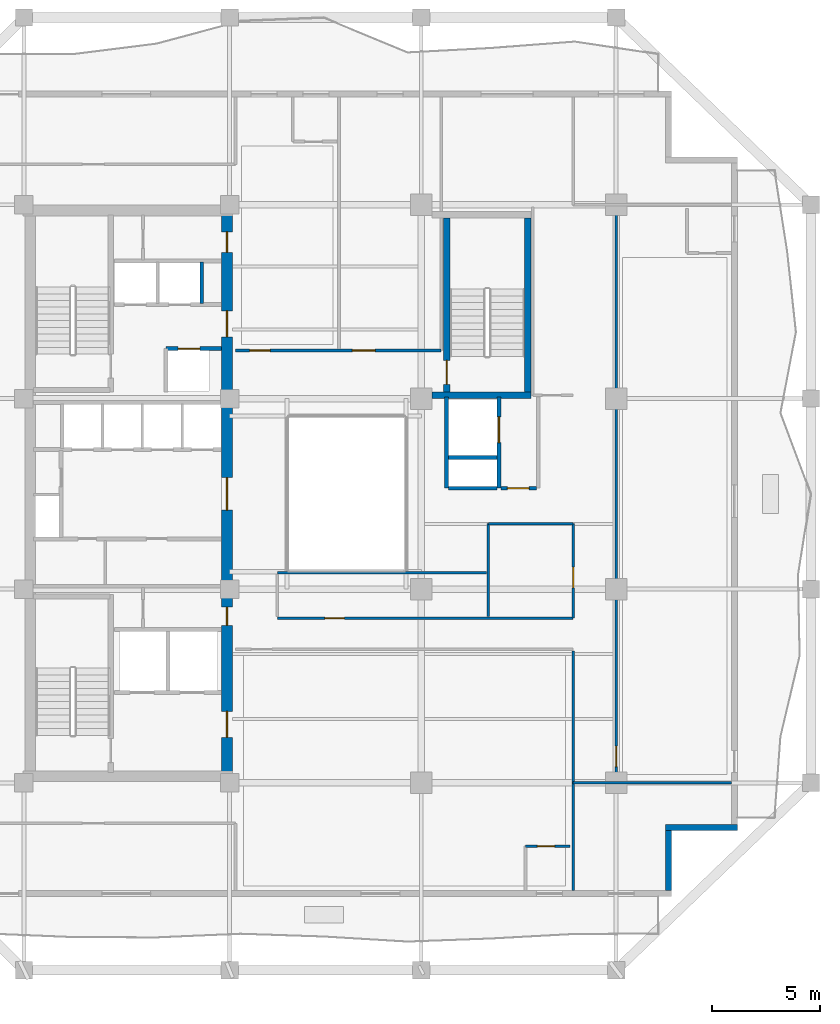
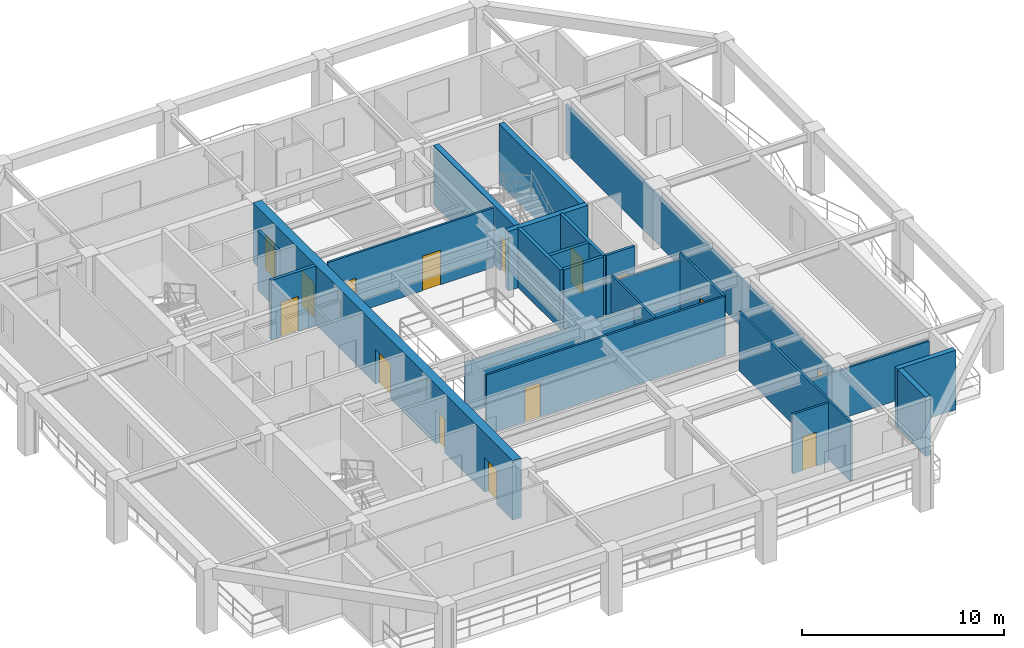
# One storey, part 4 of 10: 23 walls, 15 doors, 15 openings.
"""IFC4 building model written with IfcOpenShell, lengths in metres."""

import ifcopenshell
import ifcopenshell.guid

model = None  # the IFC model being written
_history = None  # IfcOwnerHistory: only IFC2X3 demands one
_inside = {}  # id of a spatial element -> (the spatial element, [elements in it])
_under = {}  # id of a project, library or spatial element -> (it, [spatial elements below it])
_declared = {}  # id of a project -> (the project, [libraries it declares])
_typed = {}  # id of a type object -> (the type object, [elements of that type])
_made_of = {}  # id of a material, layer set ... -> (it, [elements and type objects made of it])


def new_model(schema):
    """Start an empty IFC model of exactly this schema.

    Asked for "IFC4X3", IfcOpenShell would pick the latest addendum, in which some entities
    have other attributes; the version numbers below select the first issue.
    IFC2X3 requires an IfcOwnerHistory on every rooted entity: one is made here for all.
    """
    global model, _history
    if schema == "IFC4X3":
        model = ifcopenshell.file(schema_version=(4, 3, 0, 0))
    else:
        model = ifcopenshell.file(schema=schema)
    _inside.clear()
    _under.clear()
    _declared.clear()
    _typed.clear()
    _made_of.clear()
    _history = None
    if model.schema == "IFC2X3":
        org = make("IfcOrganization", Name="unknown")
        user = make(
            "IfcPersonAndOrganization",
            ThePerson=make("IfcPerson", FamilyName="unknown"),
            TheOrganization=org,
        )
        app = make(
            "IfcApplication",
            ApplicationDeveloper=org,
            Version="unknown",
            ApplicationFullName="unknown",
            ApplicationIdentifier="unknown",
        )
        _history = make(
            "IfcOwnerHistory",
            OwningUser=user,
            OwningApplication=app,
            ChangeAction="ADDED",
            CreationDate=0,
        )
    return model


def make(cls, **values):
    """One entity of the class cls with the attributes given. An attribute that is None is left unset."""
    return model.create_entity(
        cls, **{name: value for name, value in values.items() if value is not None}
    )


def rooted(cls, **values):
    """An entity with a GlobalId (a new one), such as an element, a storey or a relation."""
    return make(cls, GlobalId=ifcopenshell.guid.new(), OwnerHistory=_history, **values)


def si_unit(unit_type, name, prefix=None):
    """IfcSIUnit, for example si_unit("LENGTHUNIT", "METRE", prefix="MILLI")."""
    return make("IfcSIUnit", UnitType=unit_type, Prefix=prefix, Name=name)


def assignment(units):
    """IfcUnitAssignment: the units of a project."""
    return None if units is None else make("IfcUnitAssignment", Units=units)


def point(xyz):
    """IfcCartesianPoint."""
    return None if xyz is None else make("IfcCartesianPoint", Coordinates=xyz)


def direction(xyz):
    """IfcDirection."""
    return None if xyz is None else make("IfcDirection", DirectionRatios=xyz)


def frame(location, z_axis=None, x_axis=None):
    """IfcAxis2Placement3D, a coordinate frame: its origin and axes. An axis left out is left unset."""
    return make(
        "IfcAxis2Placement3D",
        Location=point(location),
        Axis=direction(z_axis),
        RefDirection=direction(x_axis),
    )


def frame_2d(location, x_axis=None):
    """IfcAxis2Placement2D, a coordinate frame in the plane: its origin and x axis."""
    return make(
        "IfcAxis2Placement2D", Location=point(location), RefDirection=direction(x_axis)
    )


def origin():
    """The frame at (0, 0, 0) with its axes left unset."""
    return frame((0.0, 0.0, 0.0))


def place(relative_to, where):
    """IfcLocalPlacement: puts the frame where relative to a parent placement (None: the world)."""
    return make(
        "IfcLocalPlacement", PlacementRelTo=relative_to, RelativePlacement=where
    )


def context(
    kind, dimensions, precision=None, world=None, true_north=None, identifier=None
):
    """IfcGeometricRepresentationContext, for example the 3D "Model" context."""
    return make(
        "IfcGeometricRepresentationContext",
        ContextIdentifier=identifier,
        ContextType=kind,
        CoordinateSpaceDimension=dimensions,
        Precision=precision,
        WorldCoordinateSystem=world,
        TrueNorth=true_north,
    )


def subcontext(parent, identifier, kind, view, scale=None):
    """IfcGeometricRepresentationSubContext, for example "Body" below "Model"."""
    return make(
        "IfcGeometricRepresentationSubContext",
        ContextIdentifier=identifier,
        ContextType=kind,
        ParentContext=parent,
        TargetScale=scale,
        TargetView=view,
    )


def project(units=None, contexts=None):
    """IfcProject with its units and contexts."""
    return rooted(
        "IfcProject",
        Name="project",
        RepresentationContexts=contexts,
        UnitsInContext=assignment(units),
    )


def spatial(cls, under=None, at=None, **own):
    """A site, building, storey or space (cls), placed at a placement, below another one or the project."""
    s = rooted(cls, ObjectPlacement=at, **own)
    if under is not None:
        _under.setdefault(under.id(), (under, []))[1].append(s)
    return s


def profile(cls, at=None, kind="AREA", **sizes):
    """A parametric profile (cls). Its sizes go by their IFC names, for example OverallWidth=200.0."""
    return make(cls, ProfileType=kind, Position=at, **sizes)


def rectangle(**sizes):
    """IfcRectangleProfileDef."""
    return profile("IfcRectangleProfileDef", **sizes)


def extrude(swept, where, along, depth):
    """IfcExtrudedAreaSolid: the profile swept, set in the frame where, extruded along a direction by depth."""
    return make(
        "IfcExtrudedAreaSolid",
        SweptArea=swept,
        Position=where,
        ExtrudedDirection=direction(along),
        Depth=depth,
    )


def shape(context_of_items, identifier, shape_type, items):
    """IfcShapeRepresentation: the items that make up one representation, for example the "Body"."""
    return make(
        "IfcShapeRepresentation",
        ContextOfItems=context_of_items,
        RepresentationIdentifier=identifier,
        RepresentationType=shape_type,
        Items=items,
    )


def material(Name=None, Category=None):
    """IfcMaterial."""
    return make("IfcMaterial", Name=Name, Category=Category)


def layer(
    of_material, thickness, ventilated=None, Name=None, Category=None, Priority=None
):
    """IfcMaterialLayer: one layer of a wall or slab, of a material (None: an air gap)."""
    return make(
        "IfcMaterialLayer",
        Material=of_material,
        LayerThickness=thickness,
        IsVentilated=ventilated,
        Name=Name,
        Category=Category,
        Priority=Priority,
    )


def layer_set(layers, Name=None):
    """IfcMaterialLayerSet."""
    return make("IfcMaterialLayerSet", MaterialLayers=layers, LayerSetName=Name)


def made_of(thing, what):
    """Note that an element or type object is made of a material, layer set ...; save() writes the relation."""
    if what is not None:
        _made_of.setdefault(what.id(), (what, []))[1].append(thing)
    return thing


def type_object(cls, material=None, **own):
    """A type object (cls), such as IfcWallType, which elements share."""
    return made_of(rooted(cls, **own), material)


def element(
    cls,
    number,
    at=None,
    inside=None,
    cuts=None,
    type_object=None,
    material=None,
    context=None,
    identifier="Body",
    shape_type=None,
    held_by="IfcProductDefinitionShape",
    body=None,
    shapes=None,
    **own,
):
    """One element of the class cls, such as IfcWall. Its Tag is "e" and its number.

    at: its placement. inside: the storey or other place that contains it. cuts: it is an
    opening in that element (IfcRelVoidsElement). A single representation is given by context,
    identifier, shape_type and body (its items); several are given by shapes. held_by: the class
    of the entity that holds the representations. save() writes the other relations.
    """
    e = rooted(cls, Tag="e%d" % number, ObjectPlacement=at, **own)
    if body is not None:
        shapes = [shape(context, identifier, shape_type, body)]
    if shapes is not None:
        e.Representation = make(held_by, Representations=shapes)
    if inside is not None:
        _inside.setdefault(inside.id(), (inside, []))[1].append(e)
    if cuts is not None:
        rooted(
            "IfcRelVoidsElement", RelatingBuildingElement=cuts, RelatedOpeningElement=e
        )
    if type_object is not None:
        _typed.setdefault(type_object.id(), (type_object, []))[1].append(e)
    return made_of(e, material)


def fill(opening, filler):
    """IfcRelFillsElement: the door or window that sits in an opening."""
    return rooted(
        "IfcRelFillsElement",
        RelatingOpeningElement=opening,
        RelatedBuildingElement=filler,
    )


def aggregate(whole, parts):
    """IfcRelAggregates: a whole, such as a stair, and the parts it consists of."""
    return rooted("IfcRelAggregates", RelatingObject=whole, RelatedObjects=parts)


def save(model, path):
    """Write the relations noted so far, then the file.

    IfcRelAggregates (storeys below a building ...), IfcRelContainedInSpatialStructure (elements
    in a storey), IfcRelDefinesByType, IfcRelAssociatesMaterial and IfcRelDeclares: one each for
    every whole, place, type object, material and project.
    """
    for whole, parts in _under.values():
        aggregate(whole, parts)
    for where, things in _inside.values():
        rooted(
            "IfcRelContainedInSpatialStructure",
            RelatedElements=things,
            RelatingStructure=where,
        )
    for kind, things in _typed.values():
        rooted("IfcRelDefinesByType", RelatedObjects=things, RelatingType=kind)
    for what, things in _made_of.values():
        rooted("IfcRelAssociatesMaterial", RelatedObjects=things, RelatingMaterial=what)
    for by, libraries in _declared.values():
        rooted("IfcRelDeclares", RelatingContext=by, RelatedDefinitions=libraries)
    model.write(path)


model = new_model("IFC4")

# Units and contexts
model_context = context("Model", 3, precision=1e-05, world=origin(), true_north=direction((0.0, 1.0)))
body_context = subcontext(model_context, "Body", "Model", "MODEL_VIEW")
ifc_project = project(units=[si_unit("LENGTHUNIT", "METRE"), si_unit("AREAUNIT", "SQUARE_METRE"), si_unit("VOLUMEUNIT", "CUBIC_METRE"), si_unit("PLANEANGLEUNIT", "RADIAN"), si_unit("MASSUNIT", "GRAM", prefix="KILO")], contexts=[model_context])

# Site, building, storey
site_placement = place(None, origin())
site = spatial("IfcSite", under=ifc_project, at=site_placement, CompositionType="ELEMENT")
building_placement = place(site_placement, origin())
building = spatial("IfcBuilding", under=site, at=building_placement, Name="Kundavana Baori Tower", CompositionType="ELEMENT")
storey_placement = place(building_placement, frame((0.0, 0.0, 111.699951171875)))
storey = spatial("IfcBuildingStorey", under=building, at=storey_placement, Name="L26", CompositionType="ELEMENT", Elevation=111.699951171875)

# Wall, openings, doors
ifc_material_1 = material(Name="Concrete C50/60", Category="concrete")
ifc_layer_1 = layer(ifc_material_1, 0.5, Name="WL-CORE-500")
ifc_layer_set_1 = layer_set([ifc_layer_1], Name="Concrete C50/60")
wall_type_1 = type_object("IfcWallType", Name="WL-CORE-500", PredefinedType="SHEAR", material=ifc_layer_set_1)
wall_1_placement = place(storey_placement, frame((24.830078125, 15.739990234375, 0.0), z_axis=(0.0, 0.0, 1.0), x_axis=(0.0, 1.0, 0.0)))
wall_1 = element("IfcWall", 1, at=wall_1_placement, inside=storey, type_object=wall_type_1, Name="L26 Offset Core East Shear Wall", PredefinedType="SHEAR", context=body_context, shape_type="SweptSolid", body=[
    extrude(rectangle(XDim=25.760009765625, YDim=0.5, at=frame_2d((12.8798828125, 0.0))), origin(), (0.0, 0.0, 1.0), 3.60009765625),
])
opening_1_placement = place(wall_1_placement, frame((1.610107421875, 0.0, 0.0)))
opening_1 = element("IfcOpeningElement", 2, at=opening_1_placement, cuts=wall_1, Name="Opening FD-120", PredefinedType="OPENING", context=body_context, shape_type="SweptSolid", body=[
    extrude(rectangle(XDim=1.199951171875, YDim=2.10009765625, at=frame_2d((0.60009765625, 1.050048828125))), frame((0.0, 0.260009765625, 0.0), z_axis=(0.0, -1.0, 0.0), x_axis=(1.0, 0.0, 0.0)), (0.0, 0.0, 1.0), 0.52001953125),
])
opening_2_placement = place(wall_1_placement, frame((6.780029296875, 0.0, 0.0)))
opening_2 = element("IfcOpeningElement", 3, at=opening_2_placement, cuts=wall_1, Name="Opening FD-085", PredefinedType="OPENING", context=body_context, shape_type="SweptSolid", body=[
    extrude(rectangle(XDim=0.85009765625, YDim=2.06005859375, at=frame_2d((0.425048828125, 1.030029296875))), frame((0.0, 0.260009765625, 0.0), z_axis=(0.0, -1.0, 0.0), x_axis=(1.0, 0.0, 0.0)), (0.0, 0.0, 1.0), 0.52001953125),
])
opening_3_placement = place(wall_1_placement, frame((12.110107421875, 0.0, 0.0)))
opening_3 = element("IfcOpeningElement", 4, at=opening_3_placement, cuts=wall_1, Name="Opening FD-150", PredefinedType="OPENING", context=body_context, shape_type="SweptSolid", body=[
    extrude(rectangle(XDim=1.5, YDim=2.1201171875, at=frame_2d((0.75, 1.06005859375))), frame((0.0, 0.260009765625, 0.0), z_axis=(0.0, -1.0, 0.0), x_axis=(1.0, 0.0, 0.0)), (0.0, 0.0, 1.0), 0.52001953125),
])
opening_4_placement = place(wall_1_placement, frame((20.110107421875, 0.0, 0.0)))
opening_4 = element("IfcOpeningElement", 5, at=opening_4_placement, cuts=wall_1, Name="Opening FD-122", PredefinedType="OPENING", context=body_context, shape_type="SweptSolid", body=[
    extrude(rectangle(XDim=1.199951171875, YDim=2.1201171875, at=frame_2d((0.60009765625, 1.06005859375))), frame((0.0, 0.260009765625, 0.0), z_axis=(0.0, -1.0, 0.0), x_axis=(1.0, 0.0, 0.0)), (0.0, 0.0, 1.0), 0.52001953125),
])
opening_5_placement = place(wall_1_placement, frame((24.010009765625, 0.0, 0.0)))
opening_5 = element("IfcOpeningElement", 6, at=opening_5_placement, cuts=wall_1, Name="Opening FD-095", PredefinedType="OPENING", context=body_context, shape_type="SweptSolid", body=[
    extrude(rectangle(XDim=0.949951171875, YDim=2.10009765625, at=frame_2d((0.47509765625, 1.050048828125))), frame((0.0, 0.260009765625, 0.0), z_axis=(0.0, -1.0, 0.0), x_axis=(1.0, 0.0, 0.0)), (0.0, 0.0, 1.0), 0.52001953125),
])
ifc_material_2 = material(Name="Galvanised Steel Fire-Rated Door Leaf", Category="steel")
door_type_1 = type_object("IfcDoorType", Name="DR-FD120-1200", OperationType="NOTDEFINED", PredefinedType="DOOR", material=ifc_material_2)
door_1_placement = place(opening_1_placement, frame((1.199951171875, 0.0, 0.0), z_axis=(0.0, 0.0, 1.0), x_axis=(-1.0, 0.0, 0.0)))
door_1 = element("IfcDoor", 7, at=door_1_placement, inside=storey, type_object=door_type_1, Name="DR-L26-FFLOB-E", OperationType="SINGLE_SWING_RIGHT", OverallHeight=2.10009765625, OverallWidth=1.199951171875, PredefinedType="DOOR", context=body_context, shape_type="SweptSolid", body=[
    extrude(rectangle(XDim=1.199951171875, YDim=2.10009765625, at=frame_2d((0.60009765625, 1.050048828125))), frame((0.0, 0.02490234375, 0.0), z_axis=(0.0, -1.0, 0.0), x_axis=(1.0, 0.0, 0.0)), (0.0, 0.0, 1.0), 0.050048828125),
])
fill(opening_1, door_1)
ifc_material_3 = material(Name="Galvanised Steel Fire-Rated Door Leaf", Category="steel")
door_type_2 = type_object("IfcDoorType", Name="DR-FD60-1200", OperationType="NOTDEFINED", PredefinedType="DOOR", material=ifc_material_3)
door_2_placement = place(opening_4_placement, frame((1.199951171875, 0.0, 0.0), z_axis=(0.0, 0.0, 1.0), x_axis=(-1.0, 0.0, 0.0)))
door_2 = element("IfcDoor", 8, at=door_2_placement, inside=storey, type_object=door_type_2, Name="DR-L26-HRLOB-E", OperationType="SINGLE_SWING_RIGHT", OverallHeight=2.1201171875, OverallWidth=1.199951171875, PredefinedType="DOOR", context=body_context, shape_type="SweptSolid", body=[
    extrude(rectangle(XDim=1.199951171875, YDim=2.1201171875, at=frame_2d((0.60009765625, 1.06005859375))), frame((0.0, 0.02490234375, 0.0), z_axis=(0.0, -1.0, 0.0), x_axis=(1.0, 0.0, 0.0)), (0.0, 0.0, 1.0), 0.050048828125),
])
fill(opening_4, door_2)
ifc_material_4 = material(Name="Galvanised Steel Fire-Rated Door Leaf", Category="steel")
door_type_3 = type_object("IfcDoorType", Name="DR-FD60-1500", OperationType="NOTDEFINED", PredefinedType="DOOR", material=ifc_material_4)
door_3_placement = place(opening_3_placement, frame((1.5, 0.0, 0.0), z_axis=(0.0, 0.0, 1.0), x_axis=(-1.0, 0.0, 0.0)))
door_3 = element("IfcDoor", 9, at=door_3_placement, inside=storey, type_object=door_type_3, Name="DR-L26-LIFTHALL-E", OperationType="SINGLE_SWING_LEFT", OverallHeight=2.1201171875, OverallWidth=1.5, PredefinedType="DOOR", context=body_context, shape_type="SweptSolid", body=[
    extrude(rectangle(XDim=1.5, YDim=2.1201171875, at=frame_2d((0.75, 1.06005859375))), frame((0.0, 0.02490234375, 0.0), z_axis=(0.0, -1.0, 0.0), x_axis=(1.0, 0.0, 0.0)), (0.0, 0.0, 1.0), 0.050048828125),
])
fill(opening_3, door_3)
ifc_material_5 = material(Name="Galvanised Steel Fire-Rated Door Leaf", Category="steel")
door_type_4 = type_object("IfcDoorType", Name="DR-FD60-850", OperationType="NOTDEFINED", PredefinedType="DOOR", material=ifc_material_5)
door_4_placement = place(opening_2_placement, frame((0.85009765625, 0.0, 0.0), z_axis=(0.0, 0.0, 1.0), x_axis=(-1.0, 0.0, 0.0)))
door_4 = element("IfcDoor", 10, at=door_4_placement, inside=storey, type_object=door_type_4, Name="DR-L26-CSMK2", OperationType="SINGLE_SWING_LEFT", OverallHeight=2.06005859375, OverallWidth=0.85009765625, PredefinedType="DOOR", context=body_context, shape_type="SweptSolid", body=[
    extrude(rectangle(XDim=0.85009765625, YDim=2.06005859375, at=frame_2d((0.425048828125, 1.030029296875))), frame((0.0, 0.02490234375, 0.0), z_axis=(0.0, -1.0, 0.0), x_axis=(1.0, 0.0, 0.0)), (0.0, 0.0, 1.0), 0.050048828125),
])
fill(opening_2, door_4)
ifc_material_6 = material(Name="Engineered Teak Fire-Rated Timber Door Leaf", Category="wood")
door_type_5 = type_object("IfcDoorType", Name="DR-FD60-950", OperationType="NOTDEFINED", PredefinedType="DOOR", material=ifc_material_6)
door_5_placement = place(opening_5_placement, frame((0.949951171875, 0.0, 0.0), z_axis=(0.0, 0.0, 1.0), x_axis=(-1.0, 0.0, 0.0)))
door_5 = element("IfcDoor", 11, at=door_5_placement, inside=storey, type_object=door_type_5, Name="DR-L26-CSRV2", OperationType="SINGLE_SWING_LEFT", OverallHeight=2.10009765625, OverallWidth=0.949951171875, PredefinedType="DOOR", context=body_context, shape_type="SweptSolid", body=[
    extrude(rectangle(XDim=0.949951171875, YDim=2.10009765625, at=frame_2d((0.47509765625, 1.050048828125))), frame((0.0, 0.02490234375, 0.0), z_axis=(0.0, -1.0, 0.0), x_axis=(1.0, 0.0, 0.0)), (0.0, 0.0, 1.0), 0.050048828125),
])
fill(opening_5, door_5)

# Walls
ifc_material_7 = material(Name="Red-Buff Dholpur Sandstone Cladding on Concrete C40/50", Category="masonry")
ifc_layer_2 = layer(ifc_material_7, 0.280029296875, Name="WL-EXT-SAND-280")
ifc_layer_set_2 = layer_set([ifc_layer_2], Name="Red-Buff Dholpur Sandstone Cladding on Concrete C40/50")
wall_type_2 = type_object("IfcWallType", Name="WL-EXT-SAND-280", PredefinedType="STANDARD", material=ifc_layer_set_2)
wall_2_placement = place(storey_placement, frame((45.2099609375, 10.280029296875, 0.0), z_axis=(0.0, 0.0, 1.0), x_axis=(0.0, 1.0, 0.0)))
element("IfcWall", 12, at=wall_2_placement, inside=storey, type_object=wall_type_2, Name="L26 Exterior Insulated Facade Wall 02", PredefinedType="STANDARD", context=body_context, shape_type="SweptSolid", body=[
    extrude(rectangle(XDim=2.77001953125, YDim=0.280029296875, at=frame_2d((1.385009765625, 0.0))), origin(), (0.0, 0.0, 1.0), 3.60009765625),
])
wall_3_placement = place(storey_placement, frame((45.070068359375, 13.18994140625, 0.0), z_axis=(0.0, 0.0, 1.0), x_axis=(1.0, 0.0, 0.0)))
element("IfcWall", 13, at=wall_3_placement, inside=storey, type_object=wall_type_2, Name="L26 Exterior Insulated Facade Wall 03", PredefinedType="STANDARD", context=body_context, shape_type="SweptSolid", body=[
    extrude(rectangle(XDim=3.329833984375, YDim=0.280029296875, at=frame_2d((1.6650390625, 0.0))), origin(), (0.0, 0.0, 1.0), 3.60009765625),
])

# Wall, opening, door
ifc_material_8 = material(Name="Acoustic Gypsum Plasterboard on Galvanised Steel Studs", Category="steel")
ifc_layer_3 = layer(ifc_material_8, 0.1201171875, Name="WL-PART-120")
ifc_layer_set_3 = layer_set([ifc_layer_3], Name="Acoustic Gypsum Plasterboard on Galvanised Steel Studs")
wall_type_3 = type_object("IfcWallType", Name="WL-PART-120", PredefinedType="PARTITIONING", material=ifc_layer_set_3)
wall_4_placement = place(storey_placement, frame((27.14990234375, 22.860107421875, 0.0), z_axis=(0.0, 0.0, 1.0), x_axis=(1.0, 0.0, 0.0)))
wall_4 = element("IfcWall", 14, at=wall_4_placement, inside=storey, type_object=wall_type_3, Name="WL-L26-HST", PredefinedType="PARTITIONING", context=body_context, shape_type="SweptSolid", body=[
    extrude(rectangle(XDim=13.670166015625, YDim=0.1201171875, at=frame_2d((6.8349609375, 0.0))), origin(), (0.0, 0.0, 1.0), 3.60009765625),
])
opening_6_placement = place(wall_4_placement, frame((2.199951171875, 0.0, 0.0)))
opening_6 = element("IfcOpeningElement", 15, at=opening_6_placement, cuts=wall_4, Name="Opening ID-090", PredefinedType="OPENING", context=body_context, shape_type="SweptSolid", body=[
    extrude(rectangle(XDim=0.89990234375, YDim=2.080078125, at=frame_2d((0.449951171875, 1.0400390625))), frame((0.0, 0.070068359375, 0.0), z_axis=(0.0, -1.0, 0.0), x_axis=(1.0, 0.0, 0.0)), (0.0, 0.0, 1.0), 0.14013671875),
])
ifc_material_9 = material(Name="Engineered Teak Solid-Core Timber Veneer", Category="wood")
door_type_6 = type_object("IfcDoorType", Name="DR-INT-900", OperationType="NOTDEFINED", PredefinedType="DOOR", material=ifc_material_9)
door_6_placement = place(opening_6_placement, origin())
door_6 = element("IfcDoor", 16, at=door_6_placement, inside=storey, type_object=door_type_6, Name="DR-L26-HPNT", OperationType="SINGLE_SWING_LEFT", OverallHeight=2.080078125, OverallWidth=0.89990234375, PredefinedType="DOOR", context=body_context, shape_type="SweptSolid", body=[
    extrude(rectangle(XDim=0.89990234375, YDim=2.080078125, at=frame_2d((0.449951171875, 1.0400390625))), frame((0.0, 0.02490234375, 0.0), z_axis=(0.0, -1.0, 0.0), x_axis=(1.0, 0.0, 0.0)), (0.0, 0.0, 1.0), 0.050048828125),
])
fill(opening_6, door_6)

# Wall, openings, doors
wall_5_placement = place(storey_placement, frame((25.219970703125, 35.219970703125, 0.0), z_axis=(0.0, 0.0, 1.0), x_axis=(1.0, 0.0, 0.0)))
wall_5 = element("IfcWall", 17, at=wall_5_placement, inside=storey, type_object=wall_type_3, Name="WL-L26-HN", PredefinedType="PARTITIONING", context=body_context, shape_type="SweptSolid", body=[
    extrude(rectangle(XDim=9.5, YDim=0.1201171875, at=frame_2d((4.75, 0.0))), origin(), (0.0, 0.0, 1.0), 3.60009765625),
])
opening_7_placement = place(wall_5_placement, frame((0.64990234375, 0.0, 0.0)))
opening_7 = element("IfcOpeningElement", 18, at=opening_7_placement, cuts=wall_5, Name="Opening FD-095", PredefinedType="OPENING", context=body_context, shape_type="SweptSolid", body=[
    extrude(rectangle(XDim=0.949951171875, YDim=2.10009765625, at=frame_2d((0.47509765625, 1.050048828125))), frame((0.0, 0.070068359375, 0.0), z_axis=(0.0, -1.0, 0.0), x_axis=(1.0, 0.0, 0.0)), (0.0, 0.0, 1.0), 0.14013671875),
])
opening_8_placement = place(wall_5_placement, frame((5.39990234375, 0.0, 0.0)))
opening_8 = element("IfcOpeningElement", 19, at=opening_8_placement, cuts=wall_5, Name="Opening ID-105", PredefinedType="OPENING", context=body_context, shape_type="SweptSolid", body=[
    extrude(rectangle(XDim=1.050048828125, YDim=2.10009765625, at=frame_2d((0.52490234375, 1.050048828125))), frame((0.0, 0.070068359375, 0.0), z_axis=(0.0, -1.0, 0.0), x_axis=(1.0, 0.0, 0.0)), (0.0, 0.0, 1.0), 0.14013671875),
])
door_7_placement = place(opening_7_placement, origin())
door_7 = element("IfcDoor", 20, at=door_7_placement, inside=storey, type_object=door_type_5, Name="DR-L26-HK-N1-ENT", OperationType="SINGLE_SWING_LEFT", OverallHeight=2.10009765625, OverallWidth=0.949951171875, PredefinedType="DOOR", context=body_context, shape_type="SweptSolid", body=[
    extrude(rectangle(XDim=0.949951171875, YDim=2.10009765625, at=frame_2d((0.47509765625, 1.050048828125))), frame((0.0, 0.02490234375, 0.0), z_axis=(0.0, -1.0, 0.0), x_axis=(1.0, 0.0, 0.0)), (0.0, 0.0, 1.0), 0.050048828125),
])
fill(opening_7, door_7)
ifc_material_10 = material(Name="Engineered Teak Solid-Core Timber Veneer", Category="wood")
door_type_7 = type_object("IfcDoorType", Name="DR-INT-1050", OperationType="NOTDEFINED", PredefinedType="DOOR", material=ifc_material_10)
door_8_placement = place(opening_8_placement, origin())
door_8 = element("IfcDoor", 21, at=door_8_placement, inside=storey, type_object=door_type_7, Name="DR-L26-HLNG", OperationType="SINGLE_SWING_RIGHT", OverallHeight=2.10009765625, OverallWidth=1.050048828125, PredefinedType="DOOR", context=body_context, shape_type="SweptSolid", body=[
    extrude(rectangle(XDim=1.050048828125, YDim=2.10009765625, at=frame_2d((0.52490234375, 1.050048828125))), frame((0.0, 0.02490234375, 0.0), z_axis=(0.0, -1.0, 0.0), x_axis=(1.0, 0.0, 0.0)), (0.0, 0.0, 1.0), 0.050048828125),
])
fill(opening_8, door_8)

# Wall, opening, door
wall_6_placement = place(storey_placement, frame((42.800048828125, 15.25, 0.0), z_axis=(0.0, 0.0, 1.0), x_axis=(0.0, 1.0, 0.0)))
wall_6 = element("IfcWall", 22, at=wall_6_placement, inside=storey, type_object=wall_type_3, Name="WL-L26-HE", PredefinedType="PARTITIONING", context=body_context, shape_type="SweptSolid", body=[
    extrude(rectangle(XDim=26.699951171875, YDim=0.1201171875, at=frame_2d((13.35009765625, 0.0))), origin(), (0.0, 0.0, 1.0), 2.949951171875),
])
opening_9_placement = place(wall_6_placement, frame((0.75, 0.0, 0.0)))
opening_9 = element("IfcOpeningElement", 23, at=opening_9_placement, cuts=wall_6, Name="Opening FD-095", PredefinedType="OPENING", context=body_context, shape_type="SweptSolid", body=[
    extrude(rectangle(XDim=0.949951171875, YDim=2.10009765625, at=frame_2d((0.47509765625, 1.050048828125))), frame((0.0, 0.070068359375, 0.0), z_axis=(0.0, -1.0, 0.0), x_axis=(1.0, 0.0, 0.0)), (0.0, 0.0, 1.0), 0.14013671875),
])
door_9_placement = place(opening_9_placement, origin())
door_9 = element("IfcDoor", 24, at=door_9_placement, inside=storey, type_object=door_type_5, Name="DR-L26-HK-E1-ENT", OperationType="SINGLE_SWING_LEFT", OverallHeight=2.10009765625, OverallWidth=0.949951171875, PredefinedType="DOOR", context=body_context, shape_type="SweptSolid", body=[
    extrude(rectangle(XDim=0.949951171875, YDim=2.10009765625, at=frame_2d((0.47509765625, 1.050048828125))), frame((0.0, 0.02490234375, 0.0), z_axis=(0.0, -1.0, 0.0), x_axis=(1.0, 0.0, 0.0)), (0.0, 0.0, 1.0), 0.050048828125),
])
fill(opening_9, door_9)

# Wall
wall_7_placement = place(storey_placement, frame((40.820068359375, 15.25, 0.0), z_axis=(0.0, 0.0, 1.0), x_axis=(1.0, 0.0, 0.0)))
element("IfcWall", 25, at=wall_7_placement, inside=storey, type_object=wall_type_3, Name="WL-L26-HES", PredefinedType="PARTITIONING", context=body_context, shape_type="SweptSolid", body=[
    extrude(rectangle(XDim=7.300048828125, YDim=0.1201171875, at=frame_2d((3.64990234375, 0.0))), origin(), (0.0, 0.0, 1.0), 2.949951171875),
])

# Wall, opening, door
wall_8_placement = place(storey_placement, frame((40.820068359375, 22.860107421875, 0.0), z_axis=(0.0, 0.0, 1.0), x_axis=(0.0, 1.0, 0.0)))
wall_8 = element("IfcWall", 26, at=wall_8_placement, inside=storey, type_object=wall_type_3, Name="WL-L26-HEW", PredefinedType="PARTITIONING", context=body_context, shape_type="SweptSolid", body=[
    extrude(rectangle(XDim=4.35986328125, YDim=0.1201171875, at=frame_2d((2.179931640625, 0.0))), origin(), (0.0, 0.0, 1.0), 3.60009765625),
])
opening_10_placement = place(wall_8_placement, frame((1.39990234375, 0.0, 0.0)))
opening_10 = element("IfcOpeningElement", 27, at=opening_10_placement, cuts=wall_8, Name="Opening FD-095", PredefinedType="OPENING", context=body_context, shape_type="SweptSolid", body=[
    extrude(rectangle(XDim=0.949951171875, YDim=2.10009765625, at=frame_2d((0.47509765625, 1.050048828125))), frame((0.0, 0.070068359375, 0.0), z_axis=(0.0, -1.0, 0.0), x_axis=(1.0, 0.0, 0.0)), (0.0, 0.0, 1.0), 0.14013671875),
])
door_10_placement = place(opening_10_placement, frame((0.949951171875, 0.0, 0.0), z_axis=(0.0, 0.0, 1.0), x_axis=(-1.0, 0.0, 0.0)))
door_10 = element("IfcDoor", 28, at=door_10_placement, inside=storey, type_object=door_type_5, Name="DR-L26-HSK", OperationType="SINGLE_SWING_RIGHT", OverallHeight=2.10009765625, OverallWidth=0.949951171875, PredefinedType="DOOR", context=body_context, shape_type="SweptSolid", body=[
    extrude(rectangle(XDim=0.949951171875, YDim=2.10009765625, at=frame_2d((0.47509765625, 1.050048828125))), frame((0.0, 0.02490234375, 0.0), z_axis=(0.0, -1.0, 0.0), x_axis=(1.0, 0.0, 0.0)), (0.0, 0.0, 1.0), 0.050048828125),
])
fill(opening_10, door_10)

# Walls
wall_9_placement = place(storey_placement, frame((36.89990234375, 27.219970703125, 0.0), z_axis=(0.0, 0.0, 1.0), x_axis=(1.0, 0.0, 0.0)))
element("IfcWall", 29, at=wall_9_placement, inside=storey, type_object=wall_type_3, Name="WL-L26-HKN", PredefinedType="PARTITIONING", context=body_context, shape_type="SweptSolid", body=[
    extrude(rectangle(XDim=3.920166015625, YDim=0.1201171875, at=frame_2d((1.9599609375, 0.0))), origin(), (0.0, 0.0, 1.0), 3.199951171875),
])
wall_10_placement = place(storey_placement, frame((36.89990234375, 22.93994140625, 0.0), z_axis=(0.0, 0.0, 1.0), x_axis=(0.0, 1.0, 0.0)))
element("IfcWall", 30, at=wall_10_placement, inside=storey, type_object=wall_type_3, Name="WL-L26-HKD", PredefinedType="PARTITIONING", context=body_context, shape_type="SweptSolid", body=[
    extrude(rectangle(XDim=4.280029296875, YDim=0.1201171875, at=frame_2d((2.14013671875, 0.0))), origin(), (0.0, 0.0, 1.0), 3.60009765625),
])
wall_11_placement = place(storey_placement, frame((27.14990234375, 24.949951171875, 0.0), z_axis=(0.0, 0.0, 1.0), x_axis=(1.0, 0.0, 0.0)))
element("IfcWall", 31, at=wall_11_placement, inside=storey, type_object=wall_type_3, Name="WL-L26-HPN1", PredefinedType="PARTITIONING", context=body_context, shape_type="SweptSolid", body=[
    extrude(rectangle(XDim=9.670166015625, YDim=0.1201171875, at=frame_2d((4.8349609375, 0.0))), origin(), (0.0, 0.0, 1.0), 3.050048828125),
])
wall_12_placement = place(storey_placement, frame((40.820068359375, 10.280029296875, 0.0), z_axis=(0.0, 0.0, 1.0), x_axis=(0.0, 1.0, 0.0)))
element("IfcWall", 32, at=wall_12_placement, inside=storey, type_object=wall_type_3, Name="WL-L26-HSEND", PredefinedType="PARTITIONING", context=body_context, shape_type="SweptSolid", body=[
    extrude(rectangle(XDim=11.06005859375, YDim=0.1201171875, at=frame_2d((5.530029296875, 0.0))), origin(), (0.0, 0.0, 1.0), 3.60009765625),
])

# Wall, opening, door
ifc_material_11 = material(Name="Fire-Rated Gypsum Drywall on Galvanised Steel Studs", Category="steel")
ifc_layer_4 = layer(ifc_material_11, 0.14990234375, Name="WL-PART-150")
ifc_layer_set_4 = layer_set([ifc_layer_4], Name="Fire-Rated Gypsum Drywall on Galvanised Steel Studs")
wall_type_4 = type_object("IfcWallType", Name="WL-PART-150", PredefinedType="PARTITIONING", material=ifc_layer_set_4)
wall_13_placement = place(storey_placement, frame((37.47998046875, 28.860107421875, 0.0), z_axis=(0.0, 0.0, 1.0), x_axis=(1.0, 0.0, 0.0)))
wall_13 = element("IfcWall", 33, at=wall_13_placement, inside=storey, type_object=wall_type_4, Name="WL-L26-SVLOB-S", PredefinedType="PARTITIONING", context=body_context, shape_type="SweptSolid", body=[
    extrude(rectangle(XDim=1.64013671875, YDim=0.14990234375, at=frame_2d((0.820068359375, 0.0))), origin(), (0.0, 0.0, 1.0), 3.60009765625),
])
opening_11_placement = place(wall_13_placement, frame((0.300048828125, 0.0, 0.0)))
opening_11 = element("IfcOpeningElement", 34, at=opening_11_placement, cuts=wall_13, Name="Opening FD-100", PredefinedType="OPENING", context=body_context, shape_type="SweptSolid", body=[
    extrude(rectangle(XDim=1.0, YDim=2.10009765625, at=frame_2d((0.5, 1.050048828125))), frame((0.0, 0.0849609375, 0.0), z_axis=(0.0, -1.0, 0.0), x_axis=(1.0, 0.0, 0.0)), (0.0, 0.0, 1.0), 0.169921875),
])
ifc_material_12 = material(Name="Engineered Teak Fire-Rated Timber Door Leaf", Category="wood")
door_type_8 = type_object("IfcDoorType", Name="DR-FD60-1000", OperationType="NOTDEFINED", PredefinedType="DOOR", material=ifc_material_12)
door_11_placement = place(opening_11_placement, origin())
door_11 = element("IfcDoor", 35, at=door_11_placement, inside=storey, type_object=door_type_8, Name="DR-L26-SVLOB-OUT", OperationType="SINGLE_SWING_LEFT", OverallHeight=2.10009765625, OverallWidth=1.0, PredefinedType="DOOR", context=body_context, shape_type="SweptSolid", body=[
    extrude(rectangle(XDim=1.0, YDim=2.10009765625, at=frame_2d((0.5, 1.050048828125))), frame((0.0, 0.02490234375, 0.0), z_axis=(0.0, -1.0, 0.0), x_axis=(1.0, 0.0, 0.0)), (0.0, 0.0, 1.0), 0.050048828125),
])
fill(opening_11, door_11)

ifc_material_13 = material(Name="Autoclaved Aerated Concrete Blockwork Masonry", Category="masonry")
ifc_layer_5 = layer(ifc_material_13, 0.179931640625, Name="WL-SHAFT-180")
ifc_layer_set_5 = layer_set([ifc_layer_5], Name="Autoclaved Aerated Concrete Blockwork Masonry")
wall_type_5 = type_object("IfcWallType", Name="WL-SHAFT-180", PredefinedType="SOLIDWALL", material=ifc_layer_set_5)
wall_14_placement = place(storey_placement, frame((22.02001953125, 35.31005859375, 0.0), z_axis=(0.0, 0.0, 1.0), x_axis=(1.0, 0.0, 0.0)))
wall_14 = element("IfcWall", 36, at=wall_14_placement, inside=storey, type_object=wall_type_5, Name="WL-L26-LP11-N", PredefinedType="SOLIDWALL", context=body_context, shape_type="SweptSolid", body=[
    extrude(rectangle(XDim=2.56005859375, YDim=0.179931640625, at=frame_2d((1.280029296875, 0.0))), origin(), (0.0, 0.0, 1.0), 3.60009765625),
])
opening_12_placement = place(wall_14_placement, frame((0.550048828125, 0.0, 0.0)))
opening_12 = element("IfcOpeningElement", 37, at=opening_12_placement, cuts=wall_14, Name="Opening LD-100", PredefinedType="OPENING", context=body_context, shape_type="SweptSolid", body=[
    extrude(rectangle(XDim=1.0, YDim=2.10009765625, at=frame_2d((0.5, 1.050048828125))), frame((0.0, 0.10009765625, 0.0), z_axis=(0.0, -1.0, 0.0), x_axis=(1.0, 0.0, 0.0)), (0.0, 0.0, 1.0), 0.199951171875),
])
ifc_material_14 = material(Name="Galvanised Steel Fire-Rated Door Leaf", Category="steel")
door_type_9 = type_object("IfcDoorType", Name="DR-SLIDE-LD1000", OperationType="NOTDEFINED", PredefinedType="DOOR", material=ifc_material_14)
door_12_placement = place(opening_12_placement, origin())
door_12 = element("IfcDoor", 38, at=door_12_placement, inside=storey, type_object=door_type_9, Name="DR-L26-LD-LP11", OperationType="DOUBLE_DOOR_SLIDING", OverallHeight=2.10009765625, OverallWidth=1.0, PredefinedType="DOOR", context=body_context, shape_type="SweptSolid", body=[
    extrude(rectangle(XDim=1.0, YDim=2.10009765625, at=frame_2d((0.5, 1.050048828125))), frame((0.0, 0.02490234375, 0.0), z_axis=(0.0, -1.0, 0.0), x_axis=(1.0, 0.0, 0.0)), (0.0, 0.0, 1.0), 0.050048828125),
])
fill(opening_12, door_12)

# Walls
wall_15_placement = place(storey_placement, frame((23.659912109375, 37.39990234375, 0.0), z_axis=(0.0, 0.0, 1.0), x_axis=(0.0, 1.0, 0.0)))
element("IfcWall", 39, at=wall_15_placement, inside=storey, type_object=wall_type_5, Name="WL-L26-HR-DIV2", PredefinedType="SOLIDWALL", context=body_context, shape_type="SweptSolid", body=[
    extrude(rectangle(XDim=1.900146484375, YDim=0.179931640625, at=frame_2d((0.9501953125, 0.0))), origin(), (0.0, 0.0, 1.0), 3.60009765625),
])
wall_16_placement = place(storey_placement, frame((34.9599609375, 28.860107421875, 0.0), z_axis=(0.0, 0.0, 1.0), x_axis=(0.0, 1.0, 0.0)))
element("IfcWall", 40, at=wall_16_placement, inside=storey, type_object=wall_type_5, Name="WL-L26-SVL-W", PredefinedType="SOLIDWALL", context=body_context, shape_type="SweptSolid", body=[
    extrude(rectangle(XDim=4.219970703125, YDim=0.179931640625, at=frame_2d((2.10986328125, 0.0))), origin(), (0.0, 0.0, 1.0), 3.60009765625),
])

# Wall, opening, door
wall_17_placement = place(storey_placement, frame((37.389892578125, 28.860107421875, 0.0), z_axis=(0.0, 0.0, 1.0), x_axis=(0.0, 1.0, 0.0)))
wall_17 = element("IfcWall", 41, at=wall_17_placement, inside=storey, type_object=wall_type_5, Name="WL-L26-SVL-E", PredefinedType="SOLIDWALL", context=body_context, shape_type="SweptSolid", body=[
    extrude(rectangle(XDim=4.219970703125, YDim=0.179931640625, at=frame_2d((2.10986328125, 0.0))), origin(), (0.0, 0.0, 1.0), 3.60009765625),
])
opening_13_placement = place(wall_17_placement, frame((2.10009765625, 0.0, 0.0)))
opening_13 = element("IfcOpeningElement", 42, at=opening_13_placement, cuts=wall_17, Name="Opening LD-120", PredefinedType="OPENING", context=body_context, shape_type="SweptSolid", body=[
    extrude(rectangle(XDim=1.199951171875, YDim=2.1201171875, at=frame_2d((0.60009765625, 1.06005859375))), frame((0.0, 0.10009765625, 0.0), z_axis=(0.0, -1.0, 0.0), x_axis=(1.0, 0.0, 0.0)), (0.0, 0.0, 1.0), 0.199951171875),
])
ifc_material_15 = material(Name="Galvanised Steel Fire-Rated Door Leaf", Category="steel")
door_type_10 = type_object("IfcDoorType", Name="DR-SLIDE-LD1200", OperationType="NOTDEFINED", PredefinedType="DOOR", material=ifc_material_15)
door_13_placement = place(opening_13_placement, frame((1.199951171875, 0.0, 0.0), z_axis=(0.0, 0.0, 1.0), x_axis=(-1.0, 0.0, 0.0)))
door_13 = element("IfcDoor", 43, at=door_13_placement, inside=storey, type_object=door_type_10, Name="DR-L26-LD-SVL1", OperationType="DOUBLE_DOOR_SLIDING", OverallHeight=2.1201171875, OverallWidth=1.199951171875, PredefinedType="DOOR", context=body_context, shape_type="SweptSolid", body=[
    extrude(rectangle(XDim=1.199951171875, YDim=2.1201171875, at=frame_2d((0.60009765625, 1.06005859375))), frame((0.0, 0.02490234375, 0.0), z_axis=(0.0, -1.0, 0.0), x_axis=(1.0, 0.0, 0.0)), (0.0, 0.0, 1.0), 0.050048828125),
])
fill(opening_13, door_13)

# Walls
for number, where, z_axis, x_axis, name in (
    (44, (35.050048828125, 28.860107421875, 0.0), (0.0, 0.0, 1.0), (1.0, 0.0, 0.0), "WL-L26-SVL-S"),
    (45, (35.050048828125, 30.27001953125, 0.0), (0.0, 0.0, 1.0), (1.0, 0.0, 0.0), "WL-L26-SVL-M"),
):
    element("IfcWall", number, at=place(storey_placement, frame(where, z_axis=z_axis, x_axis=x_axis)), inside=storey, type_object=wall_type_5, Name=name, PredefinedType="SOLIDWALL", context=body_context, shape_type="SweptSolid", body=[
        extrude(rectangle(XDim=2.25, YDim=0.179931640625, at=frame_2d((1.125, 0.0))), origin(), (0.0, 0.0, 1.0), 3.60009765625),
    ])
ifc_material_16 = material(Name="Concrete C50/60", Category="concrete")
ifc_layer_6 = layer(ifc_material_16, 0.300048828125, Name="WL-ST3-300")
ifc_layer_set_6 = layer_set([ifc_layer_6], Name="Concrete C50/60")
wall_type_6 = type_object("IfcWallType", Name="WL-ST3-300", PredefinedType="SHEAR", material=ifc_layer_set_6)
wall_18_placement = place(storey_placement, frame((34.300048828125, 33.159912109375, 0.0), z_axis=(0.0, 0.0, 1.0), x_axis=(1.0, 0.0, 0.0)))
element("IfcWall", 46, at=wall_18_placement, inside=storey, type_object=wall_type_6, Name="L26 Stair ST3 South Shear Wall", PredefinedType="SHEAR", context=body_context, shape_type="SweptSolid", body=[
    extrude(rectangle(XDim=4.570068359375, YDim=0.300048828125, at=frame_2d((2.28515625, 0.0))), origin(), (0.0, 0.0, 1.0), 3.60009765625),
])

# Wall, opening, door
wall_19_placement = place(storey_placement, frame((34.97998046875, 33.31005859375, 0.0), z_axis=(0.0, 0.0, 1.0), x_axis=(0.0, 1.0, 0.0)))
wall_19 = element("IfcWall", 47, at=wall_19_placement, inside=storey, type_object=wall_type_6, Name="L26 Stair ST3 West Shear Wall", PredefinedType="SHEAR", context=body_context, shape_type="SweptSolid", body=[
    extrude(rectangle(XDim=8.030029296875, YDim=0.300048828125, at=frame_2d((4.01513671875, 0.0))), origin(), (0.0, 0.0, 1.0), 3.60009765625),
])
opening_14_placement = place(wall_19_placement, frame((0.35009765625, 0.0, 0.0)))
opening_14 = element("IfcOpeningElement", 48, at=opening_14_placement, cuts=wall_19, Name="Opening FD-110", PredefinedType="OPENING", context=body_context, shape_type="SweptSolid", body=[
    extrude(rectangle(XDim=1.10009765625, YDim=2.10009765625, at=frame_2d((0.550048828125, 1.050048828125))), frame((0.0, 0.16015625, 0.0), z_axis=(0.0, -1.0, 0.0), x_axis=(1.0, 0.0, 0.0)), (0.0, 0.0, 1.0), 0.320068359375),
])
ifc_material_17 = material(Name="Galvanised Steel Fire-Rated Door Leaf", Category="steel")
door_type_11 = type_object("IfcDoorType", Name="DR-FD120-1100", OperationType="NOTDEFINED", PredefinedType="DOOR", material=ifc_material_17)
door_14_placement = place(opening_14_placement, origin())
door_14 = element("IfcDoor", 49, at=door_14_placement, inside=storey, type_object=door_type_11, Name="DR-L26-ST3-W", OperationType="SINGLE_SWING_LEFT", OverallHeight=2.10009765625, OverallWidth=1.10009765625, PredefinedType="DOOR", context=body_context, shape_type="SweptSolid", body=[
    extrude(rectangle(XDim=1.10009765625, YDim=2.10009765625, at=frame_2d((0.550048828125, 1.050048828125))), frame((0.0, 0.02490234375, 0.0), z_axis=(0.0, -1.0, 0.0), x_axis=(1.0, 0.0, 0.0)), (0.0, 0.0, 1.0), 0.050048828125),
])
fill(opening_14, door_14)

# Wall
wall_20_placement = place(storey_placement, frame((38.719970703125, 33.31005859375, 0.0), z_axis=(0.0, 0.0, 1.0), x_axis=(0.0, 1.0, 0.0)))
element("IfcWall", 50, at=wall_20_placement, inside=storey, type_object=wall_type_6, Name="L26 Stair ST3 East Shear Wall", PredefinedType="SHEAR", context=body_context, shape_type="SweptSolid", body=[
    extrude(rectangle(XDim=8.030029296875, YDim=0.300048828125, at=frame_2d((4.01513671875, 0.0))), origin(), (0.0, 0.0, 1.0), 3.60009765625),
])

# Wall, opening, door
ifc_material_18 = material(Name="Autoclaved Aerated Concrete Blockwork Masonry", Category="masonry")
ifc_layer_7 = layer(ifc_material_18, 0.125, Name="WL-WET-120")
ifc_layer_set_7 = layer_set([ifc_layer_7], Name="Autoclaved Aerated Concrete Blockwork Masonry")
wall_type_7 = type_object("IfcWallType", Name="WL-WET-120", PredefinedType="PLUMBINGWALL", material=ifc_layer_set_7)
wall_21_placement = place(storey_placement, frame((38.610107421875, 12.330078125, 0.0), z_axis=(0.0, 0.0, 1.0), x_axis=(1.0, 0.0, 0.0)))
wall_21 = element("IfcWall", 51, at=wall_21_placement, inside=storey, type_object=wall_type_7, Name="WL-L26-HK-S1-BN", PredefinedType="PLUMBINGWALL", context=body_context, shape_type="SweptSolid", body=[
    extrude(rectangle(XDim=2.0498046875, YDim=0.125, at=frame_2d((1.02490234375, 0.0))), origin(), (0.0, 0.0, 1.0), 3.60009765625),
])
opening_15_placement = place(wall_21_placement, frame((0.550048828125, 0.0, 0.0)))
opening_15 = element("IfcOpeningElement", 52, at=opening_15_placement, cuts=wall_21, Name="Opening WD-080", PredefinedType="OPENING", context=body_context, shape_type="SweptSolid", body=[
    extrude(rectangle(XDim=0.800048828125, YDim=2.050048828125, at=frame_2d((0.39990234375, 1.02490234375))), frame((0.0, 0.072509765625, 0.0), z_axis=(0.0, -1.0, 0.0), x_axis=(1.0, 0.0, 0.0)), (0.0, 0.0, 1.0), 0.14501953125),
])
ifc_material_19 = material(Name="Engineered Teak Solid-Core Timber Veneer", Category="wood")
door_type_12 = type_object("IfcDoorType", Name="DR-WET-800", OperationType="NOTDEFINED", PredefinedType="DOOR", material=ifc_material_19)
door_15_placement = place(opening_15_placement, origin())
door_15 = element("IfcDoor", 53, at=door_15_placement, inside=storey, type_object=door_type_12, Name="DR-L26-HK-S1-ENS", OperationType="SINGLE_SWING_LEFT", OverallHeight=2.050048828125, OverallWidth=0.800048828125, PredefinedType="DOOR", context=body_context, shape_type="SweptSolid", body=[
    extrude(rectangle(XDim=0.800048828125, YDim=2.050048828125, at=frame_2d((0.39990234375, 1.02490234375))), frame((0.0, 0.02490234375, 0.0), z_axis=(0.0, -1.0, 0.0), x_axis=(1.0, 0.0, 0.0)), (0.0, 0.0, 1.0), 0.050048828125),
])
fill(opening_15, door_15)

save(model, "model.ifc")
